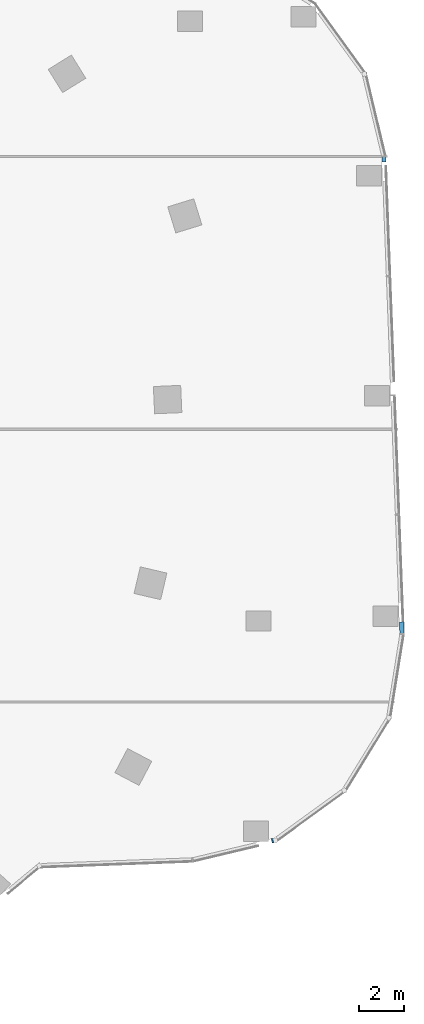
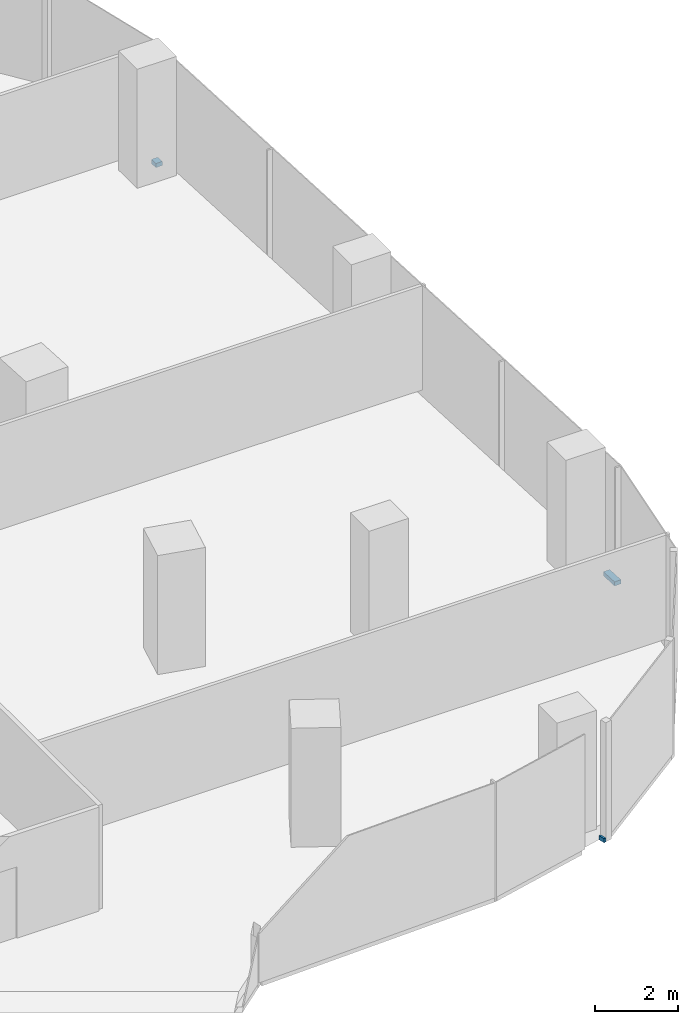
# One storey, part 13 of 24: 3 members, 2 elements without a shape of their own.
"""IFC4 building model written with IfcOpenShell, lengths in metres."""

from ifc_helpers import new_model, si_unit, direction, frame, origin, origin_2d, place, context, subcontext, project, spatial, rectangle, extrude, material, material_profile, profile_set, type_object, element, aggregate, save


model = new_model("IFC4")

# Units and contexts
model_context = context("Model", 3, precision=1e-05, world=origin(), true_north=direction((0.0, 1.0)))
body_context = subcontext(model_context, "Body", "Model", "MODEL_VIEW")
ifc_project = project(units=[si_unit("LENGTHUNIT", "METRE"), si_unit("AREAUNIT", "SQUARE_METRE"), si_unit("VOLUMEUNIT", "CUBIC_METRE"), si_unit("PLANEANGLEUNIT", "RADIAN"), si_unit("MASSUNIT", "GRAM", prefix="KILO")], contexts=[model_context])

# Site, building, storey
site_placement = place(None, origin())
site = spatial("IfcSite", under=ifc_project, at=site_placement, CompositionType="ELEMENT")
building_placement = place(site_placement, origin())
building = spatial("IfcBuilding", under=site, at=building_placement, Name="Orlundy Tower", CompositionType="ELEMENT")
storey_placement = place(building_placement, frame((0.0, 0.0, 177.60009765625)))
storey = spatial("IfcBuildingStorey", under=building, at=storey_placement, Name="L46", CompositionType="ELEMENT", Elevation=177.60009765625)

# Curtain wall, members
ifc_material_1 = material(Name="Aluminium bronze anodised", Category="aluminium")
curtain_wall_type = type_object("IfcCurtainWallType", Name="CW1 wall", PredefinedType="NOTDEFINED", material=ifc_material_1)
curtain_wall_1_placement = place(storey_placement, origin())
curtain_wall_1 = element("IfcCurtainWall", 1, at=curtain_wall_1_placement, inside=storey, type_object=curtain_wall_type, Name="CW1 run 011", PredefinedType="NOTDEFINED")
ifc_material_2 = material(Name="Aluminium bronze anodised", Category="aluminium")
ifc_material_profile = material_profile(ifc_material_2, rectangle(XDim=0.179931640625, YDim=0.1201171875, at=origin_2d()), Name="CW1 transom 180x120")
ifc_profile_set = profile_set([ifc_material_profile], Name="Aluminium bronze anodised")
member_type = type_object("IfcMemberType", Name="CW1 transom 180x120", PredefinedType="USERDEFINED", material=ifc_profile_set)
member_1_placement = place(storey_placement, frame((39.16552734375, 11.97314453125, -0.360107421875), z_axis=(0.03847790186, -0.999259451328, 0.0), x_axis=(0.999259451328, 0.03847790186, 0.0)))
member_1 = element("IfcMember", 2, at=member_1_placement, type_object=member_type, Name="CW1 transom", ObjectType="TRANSOM", PredefinedType="USERDEFINED", context=body_context, shape_type="SweptSolid", body=[
    extrude(rectangle(XDim=0.179931640625, YDim=0.1201171875, at=origin_2d()), origin(), (0.0, 0.0, 1.0), 0.20947265625),
])
member_2_placement = place(storey_placement, frame((39.93896484375, -8.46875, -0.360107421875), z_axis=(0.037754030575, -0.999287062448, 0.0), x_axis=(0.999287062448, 0.037754030575, 0.0)))
member_2 = element("IfcMember", 3, at=member_2_placement, type_object=member_type, Name="CW1 transom", ObjectType="TRANSOM", PredefinedType="USERDEFINED", context=body_context, shape_type="SweptSolid", body=[
    extrude(rectangle(XDim=0.179931640625, YDim=0.1201171875, at=origin_2d()), origin(), (0.0, 0.0, 1.0), 0.5107421875),
])
aggregate(curtain_wall_1, [member_1, member_2])

# Curtain wall, member
curtain_wall_2_placement = place(storey_placement, origin())
curtain_wall_2 = element("IfcCurtainWall", 4, at=curtain_wall_2_placement, inside=storey, type_object=curtain_wall_type, Name="CW1 run 015", PredefinedType="NOTDEFINED")
member_3_placement = place(storey_placement, frame((34.290771484375, -18.09521484375, -0.360107421875), z_axis=(-0.972115733093, -0.234501602281, 0.0), x_axis=(0.234501602281, -0.972115733093, 0.0)))
member_3 = element("IfcMember", 5, at=member_3_placement, type_object=member_type, Name="CW1 transom", ObjectType="TRANSOM", PredefinedType="USERDEFINED", context=body_context, shape_type="SweptSolid", body=[
    extrude(rectangle(XDim=0.179931640625, YDim=0.1201171875, at=origin_2d()), origin(), (0.0, 0.0, 1.0), 0.057373046875),
])
aggregate(curtain_wall_2, [member_3])

save(model, "model.ifc")
